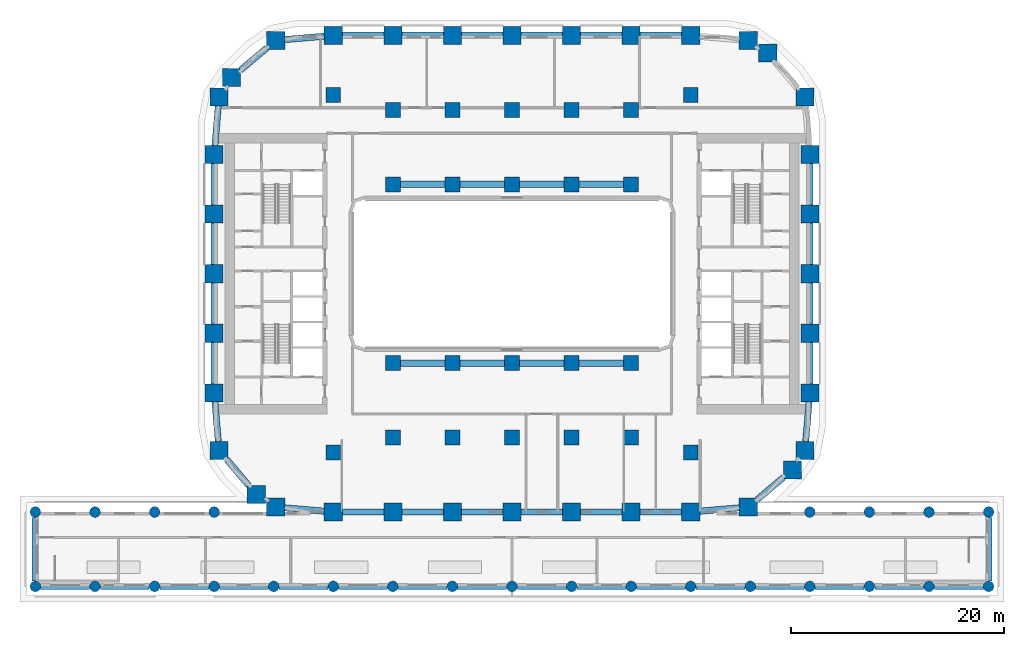
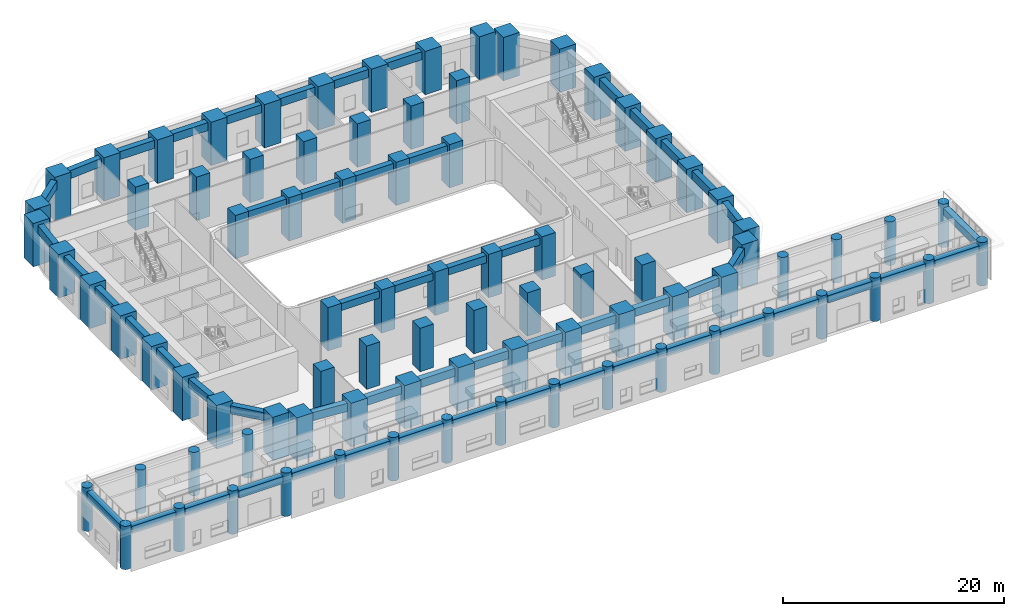
# One storey, part 1 of 13: 85 columns, 55 beams.
"""IFC4 building model written with IfcOpenShell, lengths in metres."""

from ifc_helpers import new_model, si_unit, direction, frame, origin, origin_2d, place, context, subcontext, project, spatial, rectangle, circle, extrude, material, material_profile, profile_set, type_object, element, save


model = new_model("IFC4")

# Units and contexts
model_context = context("Model", 3, precision=1e-05, world=origin(), true_north=direction((0.0, 1.0)))
body_context = subcontext(model_context, "Body", "Model", "MODEL_VIEW")
ifc_project = project(units=[si_unit("LENGTHUNIT", "METRE"), si_unit("AREAUNIT", "SQUARE_METRE"), si_unit("VOLUMEUNIT", "CUBIC_METRE"), si_unit("PLANEANGLEUNIT", "RADIAN"), si_unit("MASSUNIT", "GRAM", prefix="KILO")], contexts=[model_context])

# Site, building, storey
site_placement = place(None, origin())
site = spatial("IfcSite", under=ifc_project, at=site_placement, CompositionType="ELEMENT")
building_placement = place(site_placement, origin())
building = spatial("IfcBuilding", under=site, at=building_placement, Name="Kiln Ring Residences", CompositionType="ELEMENT")
storey_placement = place(building_placement, frame((0.0, 0.0, 25.699951171875)))
storey = spatial("IfcBuildingStorey", under=building, at=storey_placement, Name="L05", CompositionType="ELEMENT", Elevation=25.699951171875)

# Columns
ifc_material_1 = material(Name="Concrete C80/95", Category="concrete")
ifc_material_profile_1 = material_profile(ifc_material_1, rectangle(XDim=1.39990234375, YDim=1.39990234375, at=origin_2d()), Name="RC1400x1400")
ifc_profile_set_1 = profile_set([ifc_material_profile_1], Name="Concrete C80/95")
column_type_1 = type_object("IfcColumnType", Name="Corridor column RC1400x1400 C80/95", PredefinedType="COLUMN", material=ifc_profile_set_1)
for number, where, z_axis, x_axis, name in (
    (1, (-11.199951171875, 15.39990234375, 0.0), (0.0, 0.0, 1.0), (1.0, 0.0, 0.0), "Corridor column L05 1"),
    (2, (-5.60009765625, 15.39990234375, 0.0), (0.0, 0.0, 1.0), (1.0, 0.0, 0.0), "Corridor column L05 2"),
    (3, (0.0, 15.39990234375, 0.0), (0.0, 0.0, 1.0), (1.0, 0.0, 0.0), "Corridor column L05 3"),
    (4, (5.60009765625, 15.39990234375, 0.0), (0.0, 0.0, 1.0), (1.0, 0.0, 0.0), "Corridor column L05 4"),
    (5, (11.199951171875, 15.39990234375, 0.0), (0.0, 0.0, 1.0), (1.0, 0.0, 0.0), "Corridor column L05 5"),
    (6, (-11.199951171875, -15.39990234375, 0.0), (0.0, 0.0, 1.0), (1.0, 0.0, 0.0), "Corridor column L05 6"),
    (7, (-5.60009765625, -15.39990234375, 0.0), (0.0, 0.0, 1.0), (1.0, 0.0, 0.0), "Corridor column L05 7"),
    (8, (0.0, -15.39990234375, 0.0), (0.0, 0.0, 1.0), (1.0, 0.0, 0.0), "Corridor column L05 8"),
    (9, (5.60009765625, -15.39990234375, 0.0), (0.0, 0.0, 1.0), (1.0, 0.0, 0.0), "Corridor column L05 9"),
    (10, (11.199951171875, -15.39990234375, 0.0), (0.0, 0.0, 1.0), (1.0, 0.0, 0.0), "Corridor column L05 10"),
):
    element("IfcColumn", number, at=place(storey_placement, frame(where, z_axis=z_axis, x_axis=x_axis)), inside=storey, type_object=column_type_1, Name=name, PredefinedType="COLUMN", context=body_context, shape_type="SweptSolid", body=[
        extrude(rectangle(XDim=1.39990234375, YDim=1.39990234375, at=origin_2d()), origin(), (0.0, 0.0, 1.0), 4.800048828125),
    ])
ifc_material_2 = material(Name="Concrete C80/95", Category="concrete")
ifc_material_profile_2 = material_profile(ifc_material_2, rectangle(XDim=1.699951171875, YDim=1.699951171875, at=origin_2d()), Name="RC1700x1700")
ifc_profile_set_2 = profile_set([ifc_material_profile_2], Name="Concrete C80/95")
column_type_2 = type_object("IfcColumnType", Name="Perimeter column RC1700x1700 C80/95", PredefinedType="COLUMN", material=ifc_profile_set_2)
for number, where, z_axis, x_axis, name in (
    (11, (-22.208740234375, -21.93798828125, 0.0), (0.0, 0.0, 1.0), (1.0, 0.0, 0.0), "Perimeter column L05 1"),
    (12, (-16.800048828125, -22.39990234375, 0.0), (0.0, 0.0, 1.0), (1.0, 0.0, 0.0), "Perimeter column L05 2"),
    (13, (-11.199951171875, -22.39990234375, 0.0), (0.0, 0.0, 1.0), (1.0, 0.0, 0.0), "Perimeter column L05 3"),
    (14, (-5.60009765625, -22.39990234375, 0.0), (0.0, 0.0, 1.0), (1.0, 0.0, 0.0), "Perimeter column L05 4"),
    (15, (0.0, -22.39990234375, 0.0), (0.0, 0.0, 1.0), (1.0, 0.0, 0.0), "Perimeter column L05 5"),
    (16, (5.60009765625, -22.39990234375, 0.0), (0.0, 0.0, 1.0), (1.0, 0.0, 0.0), "Perimeter column L05 6"),
    (17, (11.199951171875, -22.39990234375, 0.0), (0.0, 0.0, 1.0), (1.0, 0.0, 0.0), "Perimeter column L05 7"),
    (18, (16.800048828125, -22.39990234375, 0.0), (0.0, 0.0, 1.0), (1.0, 0.0, 0.0), "Perimeter column L05 8"),
    (19, (22.208740234375, -21.93798828125, 0.0), (0.0, 0.0, 1.0), (1.0, 0.0, 0.0), "Perimeter column L05 9"),
    (20, (26.35986328125, -18.440185546875, 0.0), (0.0, 0.0, 1.0), (1.0, 0.0, 0.0), "Perimeter column L05 10"),
    (21, (27.5380859375, -16.608642578125, 0.0), (0.0, 0.0, 1.0), (1.0, 0.0, 0.0), "Perimeter column L05 11"),
    (22, (28.0, -11.199951171875, 0.0), (0.0, 0.0, 1.0), (1.0, 0.0, 0.0), "Perimeter column L05 12"),
    (23, (28.0, -5.60009765625, 0.0), (0.0, 0.0, 1.0), (1.0, 0.0, 0.0), "Perimeter column L05 13"),
    (24, (28.0, 0.0, 0.0), (0.0, 0.0, 1.0), (1.0, 0.0, 0.0), "Perimeter column L05 14"),
    (25, (28.0, 5.60009765625, 0.0), (0.0, 0.0, 1.0), (1.0, 0.0, 0.0), "Perimeter column L05 15"),
    (26, (28.0, 11.199951171875, 0.0), (0.0, 0.0, 1.0), (1.0, 0.0, 0.0), "Perimeter column L05 16"),
    (27, (27.5380859375, 16.608642578125, 0.0), (0.0, 0.0, 1.0), (1.0, 0.0, 0.0), "Perimeter column L05 17"),
    (28, (24.040283203125, 20.759765625, 0.0), (0.0, 0.0, 1.0), (1.0, 0.0, 0.0), "Perimeter column L05 18"),
    (29, (22.208740234375, 21.93798828125, 0.0), (0.0, 0.0, 1.0), (1.0, 0.0, 0.0), "Perimeter column L05 19"),
    (30, (16.800048828125, 22.39990234375, 0.0), (0.0, 0.0, 1.0), (1.0, 0.0, 0.0), "Perimeter column L05 20"),
    (31, (11.199951171875, 22.39990234375, 0.0), (0.0, 0.0, 1.0), (1.0, 0.0, 0.0), "Perimeter column L05 21"),
    (32, (5.60009765625, 22.39990234375, 0.0), (0.0, 0.0, 1.0), (1.0, 0.0, 0.0), "Perimeter column L05 22"),
    (33, (0.0, 22.39990234375, 0.0), (0.0, 0.0, 1.0), (1.0, 0.0, 0.0), "Perimeter column L05 23"),
    (34, (-5.60009765625, 22.39990234375, 0.0), (0.0, 0.0, 1.0), (1.0, 0.0, 0.0), "Perimeter column L05 24"),
    (35, (-11.199951171875, 22.39990234375, 0.0), (0.0, 0.0, 1.0), (1.0, 0.0, 0.0), "Perimeter column L05 25"),
    (36, (-16.800048828125, 22.39990234375, 0.0), (0.0, 0.0, 1.0), (1.0, 0.0, 0.0), "Perimeter column L05 26"),
    (37, (-22.208740234375, 21.93798828125, 0.0), (0.0, 0.0, 1.0), (1.0, 0.0, 0.0), "Perimeter column L05 27"),
    (38, (-26.35986328125, 18.440185546875, 0.0), (0.0, 0.0, 1.0), (1.0, 0.0, 0.0), "Perimeter column L05 28"),
    (39, (-27.5380859375, 16.608642578125, 0.0), (0.0, 0.0, 1.0), (1.0, 0.0, 0.0), "Perimeter column L05 29"),
    (40, (-28.0, 11.199951171875, 0.0), (0.0, 0.0, 1.0), (1.0, 0.0, 0.0), "Perimeter column L05 30"),
    (41, (-28.0, 5.60009765625, 0.0), (0.0, 0.0, 1.0), (1.0, 0.0, 0.0), "Perimeter column L05 31"),
    (42, (-28.0, 0.0, 0.0), (0.0, 0.0, 1.0), (1.0, 0.0, 0.0), "Perimeter column L05 32"),
    (43, (-28.0, -5.60009765625, 0.0), (0.0, 0.0, 1.0), (1.0, 0.0, 0.0), "Perimeter column L05 33"),
    (44, (-28.0, -11.199951171875, 0.0), (0.0, 0.0, 1.0), (1.0, 0.0, 0.0), "Perimeter column L05 34"),
    (45, (-27.5380859375, -16.608642578125, 0.0), (0.0, 0.0, 1.0), (1.0, 0.0, 0.0), "Perimeter column L05 35"),
    (46, (-24.040283203125, -20.759765625, 0.0), (0.0, 0.0, 1.0), (1.0, 0.0, 0.0), "Perimeter column L05 36"),
):
    element("IfcColumn", number, at=place(storey_placement, frame(where, z_axis=z_axis, x_axis=x_axis)), inside=storey, type_object=column_type_2, Name=name, PredefinedType="COLUMN", context=body_context, shape_type="SweptSolid", body=[
        extrude(rectangle(XDim=1.699951171875, YDim=1.699951171875, at=origin_2d()), origin(), (0.0, 0.0, 1.0), 4.800048828125),
    ])
ifc_material_3 = material(Name="Concrete C80/95", Category="concrete")
ifc_material_profile_3 = material_profile(ifc_material_3, circle(Radius=0.5, at=origin_2d()), Name="RCD1000")
ifc_profile_set_3 = profile_set([ifc_material_profile_3], Name="Concrete C80/95")
column_type_3 = type_object("IfcColumnType", Name="Podium column RCD1000 C80/95", PredefinedType="COLUMN", material=ifc_profile_set_3)
for number, where, z_axis, x_axis, name in (
    (47, (-44.800048828125, -29.39990234375, 0.0), (0.0, 0.0, 1.0), (1.0, 0.0, 0.0), "Podium column L05 1"),
    (48, (-39.199951171875, -29.39990234375, 0.0), (0.0, 0.0, 1.0), (1.0, 0.0, 0.0), "Podium column L05 2"),
    (49, (-33.60009765625, -29.39990234375, 0.0), (0.0, 0.0, 1.0), (1.0, 0.0, 0.0), "Podium column L05 3"),
    (50, (-28.0, -29.39990234375, 0.0), (0.0, 0.0, 1.0), (1.0, 0.0, 0.0), "Podium column L05 4"),
    (51, (-22.39990234375, -29.39990234375, 0.0), (0.0, 0.0, 1.0), (1.0, 0.0, 0.0), "Podium column L05 5"),
    (52, (-16.800048828125, -29.39990234375, 0.0), (0.0, 0.0, 1.0), (1.0, 0.0, 0.0), "Podium column L05 6"),
    (53, (-11.199951171875, -29.39990234375, 0.0), (0.0, 0.0, 1.0), (1.0, 0.0, 0.0), "Podium column L05 7"),
    (54, (-5.60009765625, -29.39990234375, 0.0), (0.0, 0.0, 1.0), (1.0, 0.0, 0.0), "Podium column L05 8"),
    (55, (0.0, -29.39990234375, 0.0), (0.0, 0.0, 1.0), (1.0, 0.0, 0.0), "Podium column L05 9"),
    (56, (5.60009765625, -29.39990234375, 0.0), (0.0, 0.0, 1.0), (1.0, 0.0, 0.0), "Podium column L05 10"),
    (57, (11.199951171875, -29.39990234375, 0.0), (0.0, 0.0, 1.0), (1.0, 0.0, 0.0), "Podium column L05 11"),
    (58, (16.800048828125, -29.39990234375, 0.0), (0.0, 0.0, 1.0), (1.0, 0.0, 0.0), "Podium column L05 12"),
    (59, (22.39990234375, -29.39990234375, 0.0), (0.0, 0.0, 1.0), (1.0, 0.0, 0.0), "Podium column L05 13"),
    (60, (28.0, -29.39990234375, 0.0), (0.0, 0.0, 1.0), (1.0, 0.0, 0.0), "Podium column L05 14"),
    (61, (33.60009765625, -29.39990234375, 0.0), (0.0, 0.0, 1.0), (1.0, 0.0, 0.0), "Podium column L05 15"),
    (62, (39.199951171875, -29.39990234375, 0.0), (0.0, 0.0, 1.0), (1.0, 0.0, 0.0), "Podium column L05 16"),
    (63, (44.800048828125, -29.39990234375, 0.0), (0.0, 0.0, 1.0), (1.0, 0.0, 0.0), "Podium column L05 17"),
    (64, (-44.800048828125, -22.39990234375, 0.0), (0.0, 0.0, 1.0), (1.0, 0.0, 0.0), "Podium column L05 18"),
    (65, (-39.199951171875, -22.39990234375, 0.0), (0.0, 0.0, 1.0), (1.0, 0.0, 0.0), "Podium column L05 19"),
    (66, (-33.60009765625, -22.39990234375, 0.0), (0.0, 0.0, 1.0), (1.0, 0.0, 0.0), "Podium column L05 20"),
    (67, (-28.0, -22.39990234375, 0.0), (0.0, 0.0, 1.0), (1.0, 0.0, 0.0), "Podium column L05 21"),
    (68, (28.0, -22.39990234375, 0.0), (0.0, 0.0, 1.0), (1.0, 0.0, 0.0), "Podium column L05 22"),
    (69, (33.60009765625, -22.39990234375, 0.0), (0.0, 0.0, 1.0), (1.0, 0.0, 0.0), "Podium column L05 23"),
    (70, (39.199951171875, -22.39990234375, 0.0), (0.0, 0.0, 1.0), (1.0, 0.0, 0.0), "Podium column L05 24"),
    (71, (44.800048828125, -22.39990234375, 0.0), (0.0, 0.0, 1.0), (1.0, 0.0, 0.0), "Podium column L05 25"),
):
    element("IfcColumn", number, at=place(storey_placement, frame(where, z_axis=z_axis, x_axis=x_axis)), inside=storey, type_object=column_type_3, Name=name, PredefinedType="COLUMN", context=body_context, shape_type="SweptSolid", body=[
        extrude(circle(Radius=0.5, at=origin_2d()), origin(), (0.0, 0.0, 1.0), 4.800048828125),
    ])
ifc_material_4 = material(Name="Concrete C80/95", Category="concrete")
ifc_material_profile_4 = material_profile(ifc_material_4, rectangle(XDim=1.39990234375, YDim=1.39990234375, at=origin_2d()), Name="RC1400x1400")
ifc_profile_set_4 = profile_set([ifc_material_profile_4], Name="Concrete C80/95")
column_type_4 = type_object("IfcColumnType", Name="Ring column RC1400x1400 C80/95", PredefinedType="COLUMN", material=ifc_profile_set_4)
for number, where, z_axis, x_axis, name in (
    (72, (-16.800048828125, -16.800048828125, 0.0), (0.0, 0.0, 1.0), (1.0, 0.0, 0.0), "Ring column L05 1"),
    (73, (-16.800048828125, 16.800048828125, 0.0), (0.0, 0.0, 1.0), (1.0, 0.0, 0.0), "Ring column L05 2"),
    (74, (-11.199951171875, -8.39990234375, 0.0), (0.0, 0.0, 1.0), (1.0, 0.0, 0.0), "Ring column L05 3"),
    (75, (-11.199951171875, 8.39990234375, 0.0), (0.0, 0.0, 1.0), (1.0, 0.0, 0.0), "Ring column L05 4"),
    (76, (-5.60009765625, -8.39990234375, 0.0), (0.0, 0.0, 1.0), (1.0, 0.0, 0.0), "Ring column L05 5"),
    (77, (-5.60009765625, 8.39990234375, 0.0), (0.0, 0.0, 1.0), (1.0, 0.0, 0.0), "Ring column L05 6"),
    (78, (0.0, -8.39990234375, 0.0), (0.0, 0.0, 1.0), (1.0, 0.0, 0.0), "Ring column L05 7"),
    (79, (0.0, 8.39990234375, 0.0), (0.0, 0.0, 1.0), (1.0, 0.0, 0.0), "Ring column L05 8"),
    (80, (5.60009765625, -8.39990234375, 0.0), (0.0, 0.0, 1.0), (1.0, 0.0, 0.0), "Ring column L05 9"),
    (81, (5.60009765625, 8.39990234375, 0.0), (0.0, 0.0, 1.0), (1.0, 0.0, 0.0), "Ring column L05 10"),
    (82, (11.199951171875, -8.39990234375, 0.0), (0.0, 0.0, 1.0), (1.0, 0.0, 0.0), "Ring column L05 11"),
    (83, (11.199951171875, 8.39990234375, 0.0), (0.0, 0.0, 1.0), (1.0, 0.0, 0.0), "Ring column L05 12"),
    (84, (16.800048828125, -16.800048828125, 0.0), (0.0, 0.0, 1.0), (1.0, 0.0, 0.0), "Ring column L05 13"),
    (85, (16.800048828125, 16.800048828125, 0.0), (0.0, 0.0, 1.0), (1.0, 0.0, 0.0), "Ring column L05 14"),
):
    element("IfcColumn", number, at=place(storey_placement, frame(where, z_axis=z_axis, x_axis=x_axis)), inside=storey, type_object=column_type_4, Name=name, PredefinedType="COLUMN", context=body_context, shape_type="SweptSolid", body=[
        extrude(rectangle(XDim=1.39990234375, YDim=1.39990234375, at=origin_2d()), origin(), (0.0, 0.0, 1.0), 4.800048828125),
    ])

# Beams
ifc_material_5 = material(Name="Concrete C50/60", Category="concrete")
ifc_material_profile_5 = material_profile(ifc_material_5, rectangle(XDim=0.60009765625, YDim=0.800048828125, at=origin_2d()), Name="RC600x800")
ifc_profile_set_5 = profile_set([ifc_material_profile_5], Name="Concrete C50/60")
beam_type_1 = type_object("IfcBeamType", Name="Ring beam RC600x800 C50/60", PredefinedType="BEAM", material=ifc_profile_set_5)
beam_1_placement = place(storey_placement, frame((-44.300048828125, -29.39990234375, 4.050048828125), z_axis=(1.0, 0.0, 0.0), x_axis=(0.0, 1.0, 0.0)))
element("IfcBeam", 86, at=beam_1_placement, inside=storey, type_object=beam_type_1, Name="Ring beam L05 1", PredefinedType="BEAM", context=body_context, shape_type="SweptSolid", body=[
    extrude(rectangle(XDim=0.60009765625, YDim=0.800048828125, at=origin_2d()), origin(), (0.0, 0.0, 1.0), 4.60009765625),
])
beam_2_placement = place(storey_placement, frame((-38.699951171875, -29.39990234375, 4.050048828125), z_axis=(1.0, 0.0, 0.0), x_axis=(0.0, 1.0, 0.0)))
element("IfcBeam", 87, at=beam_2_placement, inside=storey, type_object=beam_type_1, Name="Ring beam L05 2", PredefinedType="BEAM", context=body_context, shape_type="SweptSolid", body=[
    extrude(rectangle(XDim=0.60009765625, YDim=0.800048828125, at=origin_2d()), origin(), (0.0, 0.0, 1.0), 4.599853515625),
])
for number, where, z_axis, x_axis, name in (
    (88, (-33.10009765625, -29.39990234375, 4.050048828125), (1.0, 0.0, 0.0), (0.0, 1.0, 0.0), "Ring beam L05 3"),
    (89, (-27.5, -29.39990234375, 4.050048828125), (1.0, 0.0, 0.0), (0.0, 1.0, 0.0), "Ring beam L05 4"),
):
    element("IfcBeam", number, at=place(storey_placement, frame(where, z_axis=z_axis, x_axis=x_axis)), inside=storey, type_object=beam_type_1, Name=name, PredefinedType="BEAM", context=body_context, shape_type="SweptSolid", body=[
        extrude(rectangle(XDim=0.60009765625, YDim=0.800048828125, at=origin_2d()), origin(), (0.0, 0.0, 1.0), 4.60009765625),
    ])
beam_3_placement = place(storey_placement, frame((-21.89990234375, -29.39990234375, 4.050048828125), z_axis=(1.0, 0.0, 0.0), x_axis=(0.0, 1.0, 0.0)))
element("IfcBeam", 90, at=beam_3_placement, inside=storey, type_object=beam_type_1, Name="Ring beam L05 5", PredefinedType="BEAM", context=body_context, shape_type="SweptSolid", body=[
    extrude(rectangle(XDim=0.60009765625, YDim=0.800048828125, at=origin_2d()), origin(), (0.0, 0.0, 1.0), 4.599853515625),
])
beam_4_placement = place(storey_placement, frame((-16.300048828125, -29.39990234375, 4.050048828125), z_axis=(1.0, 0.0, 0.0), x_axis=(0.0, 1.0, 0.0)))
element("IfcBeam", 91, at=beam_4_placement, inside=storey, type_object=beam_type_1, Name="Ring beam L05 6", PredefinedType="BEAM", context=body_context, shape_type="SweptSolid", body=[
    extrude(rectangle(XDim=0.60009765625, YDim=0.800048828125, at=origin_2d()), origin(), (0.0, 0.0, 1.0), 4.60009765625),
])
beam_5_placement = place(storey_placement, frame((-10.699951171875, -29.39990234375, 4.050048828125), z_axis=(1.0, 0.0, 0.0), x_axis=(0.0, 1.0, 0.0)))
element("IfcBeam", 92, at=beam_5_placement, inside=storey, type_object=beam_type_1, Name="Ring beam L05 7", PredefinedType="BEAM", context=body_context, shape_type="SweptSolid", body=[
    extrude(rectangle(XDim=0.60009765625, YDim=0.800048828125, at=origin_2d()), origin(), (0.0, 0.0, 1.0), 4.599853515625),
])
for number, where, z_axis, x_axis, name in (
    (93, (-5.10009765625, -29.39990234375, 4.050048828125), (1.0, 0.0, 0.0), (0.0, 1.0, 0.0), "Ring beam L05 8"),
    (94, (0.5, -29.39990234375, 4.050048828125), (1.0, 0.0, 0.0), (0.0, 1.0, 0.0), "Ring beam L05 9"),
):
    element("IfcBeam", number, at=place(storey_placement, frame(where, z_axis=z_axis, x_axis=x_axis)), inside=storey, type_object=beam_type_1, Name=name, PredefinedType="BEAM", context=body_context, shape_type="SweptSolid", body=[
        extrude(rectangle(XDim=0.60009765625, YDim=0.800048828125, at=origin_2d()), origin(), (0.0, 0.0, 1.0), 4.60009765625),
    ])
beam_6_placement = place(storey_placement, frame((6.10009765625, -29.39990234375, 4.050048828125), z_axis=(1.0, 0.0, 0.0), x_axis=(0.0, 1.0, 0.0)))
element("IfcBeam", 95, at=beam_6_placement, inside=storey, type_object=beam_type_1, Name="Ring beam L05 10", PredefinedType="BEAM", context=body_context, shape_type="SweptSolid", body=[
    extrude(rectangle(XDim=0.60009765625, YDim=0.800048828125, at=origin_2d()), origin(), (0.0, 0.0, 1.0), 4.599853515625),
])
beam_7_placement = place(storey_placement, frame((11.699951171875, -29.39990234375, 4.050048828125), z_axis=(1.0, 0.0, 0.0), x_axis=(0.0, 1.0, 0.0)))
element("IfcBeam", 96, at=beam_7_placement, inside=storey, type_object=beam_type_1, Name="Ring beam L05 11", PredefinedType="BEAM", context=body_context, shape_type="SweptSolid", body=[
    extrude(rectangle(XDim=0.60009765625, YDim=0.800048828125, at=origin_2d()), origin(), (0.0, 0.0, 1.0), 4.60009765625),
])
beam_8_placement = place(storey_placement, frame((17.300048828125, -29.39990234375, 4.050048828125), z_axis=(1.0, 0.0, 0.0), x_axis=(0.0, 1.0, 0.0)))
element("IfcBeam", 97, at=beam_8_placement, inside=storey, type_object=beam_type_1, Name="Ring beam L05 12", PredefinedType="BEAM", context=body_context, shape_type="SweptSolid", body=[
    extrude(rectangle(XDim=0.60009765625, YDim=0.800048828125, at=origin_2d()), origin(), (0.0, 0.0, 1.0), 4.599853515625),
])
for number, where, z_axis, x_axis, name in (
    (98, (22.89990234375, -29.39990234375, 4.050048828125), (1.0, 0.0, 0.0), (0.0, 1.0, 0.0), "Ring beam L05 13"),
    (99, (28.5, -29.39990234375, 4.050048828125), (1.0, 0.0, 0.0), (0.0, 1.0, 0.0), "Ring beam L05 14"),
):
    element("IfcBeam", number, at=place(storey_placement, frame(where, z_axis=z_axis, x_axis=x_axis)), inside=storey, type_object=beam_type_1, Name=name, PredefinedType="BEAM", context=body_context, shape_type="SweptSolid", body=[
        extrude(rectangle(XDim=0.60009765625, YDim=0.800048828125, at=origin_2d()), origin(), (0.0, 0.0, 1.0), 4.60009765625),
    ])
beam_9_placement = place(storey_placement, frame((34.10009765625, -29.39990234375, 4.050048828125), z_axis=(1.0, 0.0, 0.0), x_axis=(0.0, 1.0, 0.0)))
element("IfcBeam", 100, at=beam_9_placement, inside=storey, type_object=beam_type_1, Name="Ring beam L05 15", PredefinedType="BEAM", context=body_context, shape_type="SweptSolid", body=[
    extrude(rectangle(XDim=0.60009765625, YDim=0.800048828125, at=origin_2d()), origin(), (0.0, 0.0, 1.0), 4.599853515625),
])
beam_10_placement = place(storey_placement, frame((39.699951171875, -29.39990234375, 4.050048828125), z_axis=(1.0, 0.0, 0.0), x_axis=(0.0, 1.0, 0.0)))
element("IfcBeam", 101, at=beam_10_placement, inside=storey, type_object=beam_type_1, Name="Ring beam L05 16", PredefinedType="BEAM", context=body_context, shape_type="SweptSolid", body=[
    extrude(rectangle(XDim=0.60009765625, YDim=0.800048828125, at=origin_2d()), origin(), (0.0, 0.0, 1.0), 4.60009765625),
])
for number, where, z_axis, x_axis, name in (
    (102, (-44.800048828125, -22.89990234375, 4.050048828125), (0.0, -1.0, 0.0), (1.0, 0.0, 0.0), "Ring beam L05 17"),
    (103, (44.800048828125, -22.89990234375, 4.050048828125), (0.0, -1.0, 0.0), (1.0, 0.0, 0.0), "Ring beam L05 18"),
):
    element("IfcBeam", number, at=place(storey_placement, frame(where, z_axis=z_axis, x_axis=x_axis)), inside=storey, type_object=beam_type_1, Name=name, PredefinedType="BEAM", context=body_context, shape_type="SweptSolid", body=[
        extrude(rectangle(XDim=0.60009765625, YDim=0.800048828125, at=origin_2d()), origin(), (0.0, 0.0, 1.0), 6.0),
    ])
for number, where, z_axis, x_axis, name in (
    (104, (-10.5, -8.39990234375, 4.050048828125), (1.0, 0.0, 0.0), (0.0, 1.0, 0.0), "Ring beam L05 19"),
    (105, (-4.89990234375, -8.39990234375, 4.050048828125), (1.0, 0.0, 0.0), (0.0, 1.0, 0.0), "Ring beam L05 20"),
    (106, (0.699951171875, -8.39990234375, 4.050048828125), (1.0, 0.0, 0.0), (0.0, 1.0, 0.0), "Ring beam L05 21"),
    (107, (6.300048828125, -8.39990234375, 4.050048828125), (1.0, 0.0, 0.0), (0.0, 1.0, 0.0), "Ring beam L05 22"),
    (108, (-10.5, 8.39990234375, 4.050048828125), (1.0, 0.0, 0.0), (0.0, 1.0, 0.0), "Ring beam L05 23"),
    (109, (-4.89990234375, 8.39990234375, 4.050048828125), (1.0, 0.0, 0.0), (0.0, 1.0, 0.0), "Ring beam L05 24"),
    (110, (0.699951171875, 8.39990234375, 4.050048828125), (1.0, 0.0, 0.0), (0.0, 1.0, 0.0), "Ring beam L05 25"),
    (111, (6.300048828125, 8.39990234375, 4.050048828125), (1.0, 0.0, 0.0), (0.0, 1.0, 0.0), "Ring beam L05 26"),
):
    element("IfcBeam", number, at=place(storey_placement, frame(where, z_axis=z_axis, x_axis=x_axis)), inside=storey, type_object=beam_type_1, Name=name, PredefinedType="BEAM", context=body_context, shape_type="SweptSolid", body=[
        extrude(rectangle(XDim=0.60009765625, YDim=0.800048828125, at=origin_2d()), origin(), (0.0, 0.0, 1.0), 4.199951171875),
    ])
ifc_material_6 = material(Name="Concrete C50/60", Category="concrete")
ifc_material_profile_6 = material_profile(ifc_material_6, rectangle(XDim=0.60009765625, YDim=0.89990234375, at=origin_2d()), Name="RC600x900")
ifc_profile_set_6 = profile_set([ifc_material_profile_6], Name="Concrete C50/60")
beam_type_2 = type_object("IfcBeamType", Name="Spandrel beam RC600x900 C50/60", PredefinedType="SPANDREL", material=ifc_profile_set_6)
beam_11_placement = place(storey_placement, frame((-21.358642578125, -22.0107421875, 4.0), z_axis=(0.996374977292, -0.08506999839, 0.0), x_axis=(0.08506999839, 0.996374977292, 0.0)))
element("IfcBeam", 112, at=beam_11_placement, inside=storey, type_object=beam_type_2, Name="Spandrel beam L05 1", PredefinedType="SPANDREL", context=body_context, shape_type="SweptSolid", body=[
    extrude(rectangle(XDim=0.60009765625, YDim=0.89990234375, at=origin_2d()), origin(), (0.0, 0.0, 1.0), 3.72216796875),
])
beam_12_placement = place(storey_placement, frame((-15.949951171875, -22.39990234375, 4.0), z_axis=(1.0, 0.0, 0.0), x_axis=(0.0, 1.0, 0.0)))
element("IfcBeam", 113, at=beam_12_placement, inside=storey, type_object=beam_type_2, Name="Spandrel beam L05 2", PredefinedType="SPANDREL", context=body_context, shape_type="SweptSolid", body=[
    extrude(rectangle(XDim=0.60009765625, YDim=0.89990234375, at=origin_2d()), origin(), (0.0, 0.0, 1.0), 3.89990234375),
])
beam_13_placement = place(storey_placement, frame((-10.35009765625, -22.39990234375, 4.0), z_axis=(1.0, 0.0, 0.0), x_axis=(0.0, 1.0, 0.0)))
element("IfcBeam", 114, at=beam_13_placement, inside=storey, type_object=beam_type_2, Name="Spandrel beam L05 3", PredefinedType="SPANDREL", context=body_context, shape_type="SweptSolid", body=[
    extrude(rectangle(XDim=0.60009765625, YDim=0.89990234375, at=origin_2d()), origin(), (0.0, 0.0, 1.0), 3.900146484375),
])
for number, where, z_axis, x_axis, name in (
    (115, (-4.75, -22.39990234375, 4.0), (1.0, 0.0, 0.0), (0.0, 1.0, 0.0), "Spandrel beam L05 4"),
    (116, (0.85009765625, -22.39990234375, 4.0), (1.0, 0.0, 0.0), (0.0, 1.0, 0.0), "Spandrel beam L05 5"),
):
    element("IfcBeam", number, at=place(storey_placement, frame(where, z_axis=z_axis, x_axis=x_axis)), inside=storey, type_object=beam_type_2, Name=name, PredefinedType="SPANDREL", context=body_context, shape_type="SweptSolid", body=[
        extrude(rectangle(XDim=0.60009765625, YDim=0.89990234375, at=origin_2d()), origin(), (0.0, 0.0, 1.0), 3.89990234375),
    ])
beam_14_placement = place(storey_placement, frame((6.449951171875, -22.39990234375, 4.0), z_axis=(1.0, 0.0, 0.0), x_axis=(0.0, 1.0, 0.0)))
element("IfcBeam", 117, at=beam_14_placement, inside=storey, type_object=beam_type_2, Name="Spandrel beam L05 6", PredefinedType="SPANDREL", context=body_context, shape_type="SweptSolid", body=[
    extrude(rectangle(XDim=0.60009765625, YDim=0.89990234375, at=origin_2d()), origin(), (0.0, 0.0, 1.0), 3.900146484375),
])
beam_15_placement = place(storey_placement, frame((12.050048828125, -22.39990234375, 4.0), z_axis=(1.0, 0.0, 0.0), x_axis=(0.0, 1.0, 0.0)))
element("IfcBeam", 118, at=beam_15_placement, inside=storey, type_object=beam_type_2, Name="Spandrel beam L05 7", PredefinedType="SPANDREL", context=body_context, shape_type="SweptSolid", body=[
    extrude(rectangle(XDim=0.60009765625, YDim=0.89990234375, at=origin_2d()), origin(), (0.0, 0.0, 1.0), 3.89990234375),
])
beam_16_placement = place(storey_placement, frame((17.64990234375, -22.327392578125, 4.0), z_axis=(0.996374977292, 0.08506999839, 0.0), x_axis=(-0.08506999839, 0.996374977292, 0.0)))
element("IfcBeam", 119, at=beam_16_placement, inside=storey, type_object=beam_type_2, Name="Spandrel beam L05 8", PredefinedType="SPANDREL", context=body_context, shape_type="SweptSolid", body=[
    extrude(rectangle(XDim=0.60009765625, YDim=0.89990234375, at=origin_2d()), origin(), (0.0, 0.0, 1.0), 3.72216796875),
])
beam_17_placement = place(storey_placement, frame((23.05859375, -21.221923828125, 4.0), z_axis=(0.764713647219, 0.644370264489, 0.0), x_axis=(-0.644370264489, 0.764713647219, 0.0)))
element("IfcBeam", 120, at=beam_17_placement, inside=storey, type_object=beam_type_2, Name="Spandrel beam L05 9", PredefinedType="SPANDREL", context=body_context, shape_type="SweptSolid", body=[
    extrude(rectangle(XDim=0.60009765625, YDim=0.89990234375, at=origin_2d()), origin(), (0.0, 0.0, 1.0), 3.205322265625),
])
beam_18_placement = place(storey_placement, frame((27.610595703125, -15.7587890625, 4.0), z_axis=(0.085135112999, 0.996369415696, 0.0), x_axis=(-0.996369415696, 0.085135112999, 0.0)))
element("IfcBeam", 121, at=beam_18_placement, inside=storey, type_object=beam_type_2, Name="Spandrel beam L05 10", PredefinedType="SPANDREL", context=body_context, shape_type="SweptSolid", body=[
    extrude(rectangle(XDim=0.60009765625, YDim=0.89990234375, at=origin_2d()), origin(), (0.0, 0.0, 1.0), 3.72216796875),
])
beam_19_placement = place(storey_placement, frame((28.0, -10.35009765625, 4.0), z_axis=(0.0, 1.0, 0.0), x_axis=(-1.0, 0.0, 0.0)))
element("IfcBeam", 122, at=beam_19_placement, inside=storey, type_object=beam_type_2, Name="Spandrel beam L05 11", PredefinedType="SPANDREL", context=body_context, shape_type="SweptSolid", body=[
    extrude(rectangle(XDim=0.60009765625, YDim=0.89990234375, at=origin_2d()), origin(), (0.0, 0.0, 1.0), 3.900146484375),
])
for number, where, z_axis, x_axis, name in (
    (123, (28.0, -4.75, 4.0), (0.0, 1.0, 0.0), (-1.0, 0.0, 0.0), "Spandrel beam L05 12"),
    (124, (28.0, 0.85009765625, 4.0), (0.0, 1.0, 0.0), (-1.0, 0.0, 0.0), "Spandrel beam L05 13"),
):
    element("IfcBeam", number, at=place(storey_placement, frame(where, z_axis=z_axis, x_axis=x_axis)), inside=storey, type_object=beam_type_2, Name=name, PredefinedType="SPANDREL", context=body_context, shape_type="SweptSolid", body=[
        extrude(rectangle(XDim=0.60009765625, YDim=0.89990234375, at=origin_2d()), origin(), (0.0, 0.0, 1.0), 3.89990234375),
    ])
beam_20_placement = place(storey_placement, frame((28.0, 6.449951171875, 4.0), z_axis=(0.0, 1.0, 0.0), x_axis=(-1.0, 0.0, 0.0)))
element("IfcBeam", 125, at=beam_20_placement, inside=storey, type_object=beam_type_2, Name="Spandrel beam L05 14", PredefinedType="SPANDREL", context=body_context, shape_type="SweptSolid", body=[
    extrude(rectangle(XDim=0.60009765625, YDim=0.89990234375, at=origin_2d()), origin(), (0.0, 0.0, 1.0), 3.900146484375),
])
beam_21_placement = place(storey_placement, frame((15.949951171875, 22.39990234375, 4.0), z_axis=(-1.0, 0.0, 0.0), x_axis=(0.0, -1.0, 0.0)))
element("IfcBeam", 126, at=beam_21_placement, inside=storey, type_object=beam_type_2, Name="Spandrel beam L05 18", PredefinedType="SPANDREL", context=body_context, shape_type="SweptSolid", body=[
    extrude(rectangle(XDim=0.60009765625, YDim=0.89990234375, at=origin_2d()), origin(), (0.0, 0.0, 1.0), 3.89990234375),
])
beam_22_placement = place(storey_placement, frame((10.35009765625, 22.39990234375, 4.0), z_axis=(-1.0, 0.0, 0.0), x_axis=(0.0, -1.0, 0.0)))
element("IfcBeam", 127, at=beam_22_placement, inside=storey, type_object=beam_type_2, Name="Spandrel beam L05 19", PredefinedType="SPANDREL", context=body_context, shape_type="SweptSolid", body=[
    extrude(rectangle(XDim=0.60009765625, YDim=0.89990234375, at=origin_2d()), origin(), (0.0, 0.0, 1.0), 3.900146484375),
])
for number, where, z_axis, x_axis, name in (
    (128, (4.75, 22.39990234375, 4.0), (-1.0, 0.0, 0.0), (0.0, -1.0, 0.0), "Spandrel beam L05 20"),
    (129, (-0.85009765625, 22.39990234375, 4.0), (-1.0, 0.0, 0.0), (0.0, -1.0, 0.0), "Spandrel beam L05 21"),
):
    element("IfcBeam", number, at=place(storey_placement, frame(where, z_axis=z_axis, x_axis=x_axis)), inside=storey, type_object=beam_type_2, Name=name, PredefinedType="SPANDREL", context=body_context, shape_type="SweptSolid", body=[
        extrude(rectangle(XDim=0.60009765625, YDim=0.89990234375, at=origin_2d()), origin(), (0.0, 0.0, 1.0), 3.89990234375),
    ])
beam_23_placement = place(storey_placement, frame((-6.449951171875, 22.39990234375, 4.0), z_axis=(-1.0, 0.0, 0.0), x_axis=(0.0, -1.0, 0.0)))
element("IfcBeam", 130, at=beam_23_placement, inside=storey, type_object=beam_type_2, Name="Spandrel beam L05 22", PredefinedType="SPANDREL", context=body_context, shape_type="SweptSolid", body=[
    extrude(rectangle(XDim=0.60009765625, YDim=0.89990234375, at=origin_2d()), origin(), (0.0, 0.0, 1.0), 3.900146484375),
])
beam_24_placement = place(storey_placement, frame((-12.050048828125, 22.39990234375, 4.0), z_axis=(-1.0, 0.0, 0.0), x_axis=(0.0, -1.0, 0.0)))
element("IfcBeam", 131, at=beam_24_placement, inside=storey, type_object=beam_type_2, Name="Spandrel beam L05 23", PredefinedType="SPANDREL", context=body_context, shape_type="SweptSolid", body=[
    extrude(rectangle(XDim=0.60009765625, YDim=0.89990234375, at=origin_2d()), origin(), (0.0, 0.0, 1.0), 3.89990234375),
])
beam_25_placement = place(storey_placement, frame((-17.64990234375, 22.327392578125, 4.0), z_axis=(-0.996374977292, -0.08506999839, 0.0), x_axis=(0.08506999839, -0.996374977292, 0.0)))
element("IfcBeam", 132, at=beam_25_placement, inside=storey, type_object=beam_type_2, Name="Spandrel beam L05 24", PredefinedType="SPANDREL", context=body_context, shape_type="SweptSolid", body=[
    extrude(rectangle(XDim=0.60009765625, YDim=0.89990234375, at=origin_2d()), origin(), (0.0, 0.0, 1.0), 3.72216796875),
])
beam_26_placement = place(storey_placement, frame((-23.05859375, 21.221923828125, 4.0), z_axis=(-0.764713647219, -0.644370264489, 0.0), x_axis=(0.644370264489, -0.764713647219, 0.0)))
element("IfcBeam", 133, at=beam_26_placement, inside=storey, type_object=beam_type_2, Name="Spandrel beam L05 25", PredefinedType="SPANDREL", context=body_context, shape_type="SweptSolid", body=[
    extrude(rectangle(XDim=0.60009765625, YDim=0.89990234375, at=origin_2d()), origin(), (0.0, 0.0, 1.0), 3.205322265625),
])
beam_27_placement = place(storey_placement, frame((-27.610595703125, 15.7587890625, 4.0), z_axis=(-0.085135112999, -0.996369415696, 0.0), x_axis=(0.996369415696, -0.085135112999, 0.0)))
element("IfcBeam", 134, at=beam_27_placement, inside=storey, type_object=beam_type_2, Name="Spandrel beam L05 26", PredefinedType="SPANDREL", context=body_context, shape_type="SweptSolid", body=[
    extrude(rectangle(XDim=0.60009765625, YDim=0.89990234375, at=origin_2d()), origin(), (0.0, 0.0, 1.0), 3.72216796875),
])
beam_28_placement = place(storey_placement, frame((-28.0, 10.35009765625, 4.0), z_axis=(0.0, -1.0, 0.0), x_axis=(1.0, 0.0, 0.0)))
element("IfcBeam", 135, at=beam_28_placement, inside=storey, type_object=beam_type_2, Name="Spandrel beam L05 27", PredefinedType="SPANDREL", context=body_context, shape_type="SweptSolid", body=[
    extrude(rectangle(XDim=0.60009765625, YDim=0.89990234375, at=origin_2d()), origin(), (0.0, 0.0, 1.0), 3.900146484375),
])
for number, where, z_axis, x_axis, name in (
    (136, (-28.0, 4.75, 4.0), (0.0, -1.0, 0.0), (1.0, 0.0, 0.0), "Spandrel beam L05 28"),
    (137, (-28.0, -0.85009765625, 4.0), (0.0, -1.0, 0.0), (1.0, 0.0, 0.0), "Spandrel beam L05 29"),
):
    element("IfcBeam", number, at=place(storey_placement, frame(where, z_axis=z_axis, x_axis=x_axis)), inside=storey, type_object=beam_type_2, Name=name, PredefinedType="SPANDREL", context=body_context, shape_type="SweptSolid", body=[
        extrude(rectangle(XDim=0.60009765625, YDim=0.89990234375, at=origin_2d()), origin(), (0.0, 0.0, 1.0), 3.89990234375),
    ])
beam_29_placement = place(storey_placement, frame((-28.0, -6.449951171875, 4.0), z_axis=(0.0, -1.0, 0.0), x_axis=(1.0, 0.0, 0.0)))
element("IfcBeam", 138, at=beam_29_placement, inside=storey, type_object=beam_type_2, Name="Spandrel beam L05 30", PredefinedType="SPANDREL", context=body_context, shape_type="SweptSolid", body=[
    extrude(rectangle(XDim=0.60009765625, YDim=0.89990234375, at=origin_2d()), origin(), (0.0, 0.0, 1.0), 3.900146484375),
])
beam_30_placement = place(storey_placement, frame((-27.927490234375, -12.050048828125, 4.0), z_axis=(0.085135112999, -0.996369415696, 0.0), x_axis=(0.996369415696, 0.085135112999, 0.0)))
element("IfcBeam", 139, at=beam_30_placement, inside=storey, type_object=beam_type_2, Name="Spandrel beam L05 31", PredefinedType="SPANDREL", context=body_context, shape_type="SweptSolid", body=[
    extrude(rectangle(XDim=0.60009765625, YDim=0.89990234375, at=origin_2d()), origin(), (0.0, 0.0, 1.0), 3.72216796875),
])
beam_31_placement = place(storey_placement, frame((-26.82177734375, -17.458740234375, 4.0), z_axis=(0.644370264489, -0.764713647219, 0.0), x_axis=(0.764713647219, 0.644370264489, 0.0)))
element("IfcBeam", 140, at=beam_31_placement, inside=storey, type_object=beam_type_2, Name="Spandrel beam L05 32", PredefinedType="SPANDREL", context=body_context, shape_type="SweptSolid", body=[
    extrude(rectangle(XDim=0.60009765625, YDim=0.89990234375, at=origin_2d()), origin(), (0.0, 0.0, 1.0), 3.205322265625),
])

save(model, "model.ifc")
